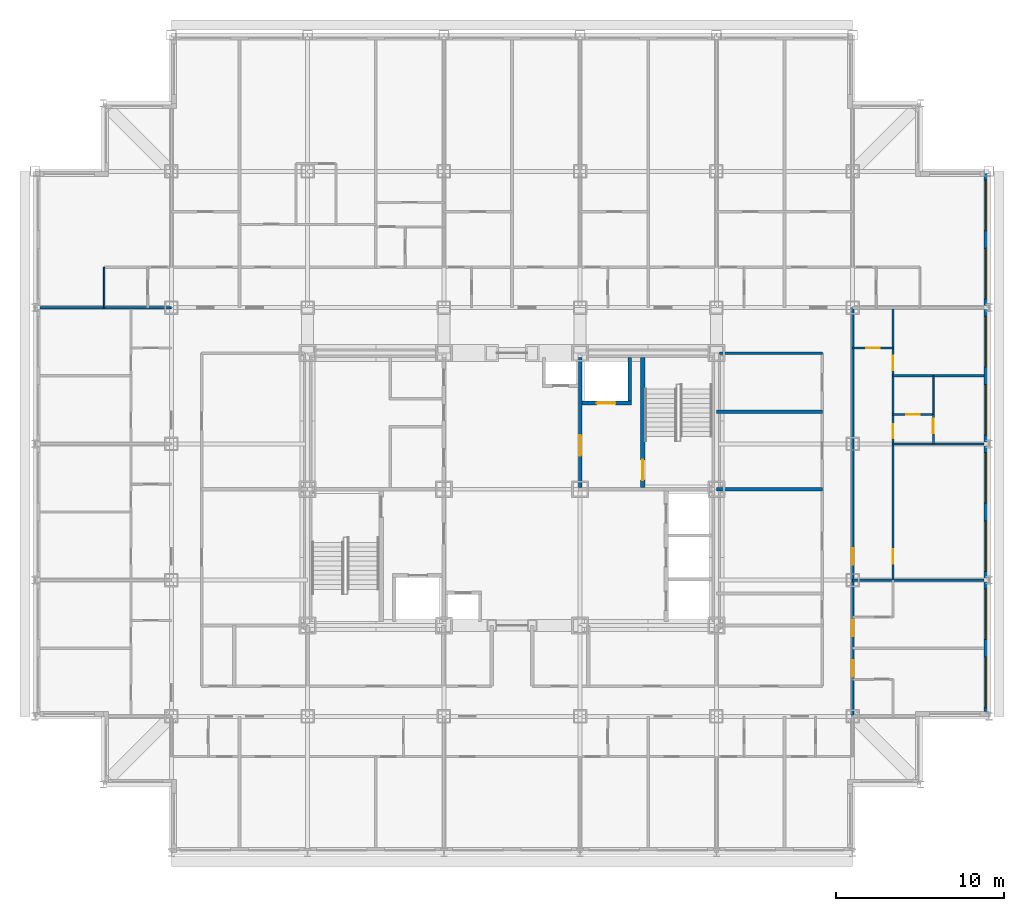
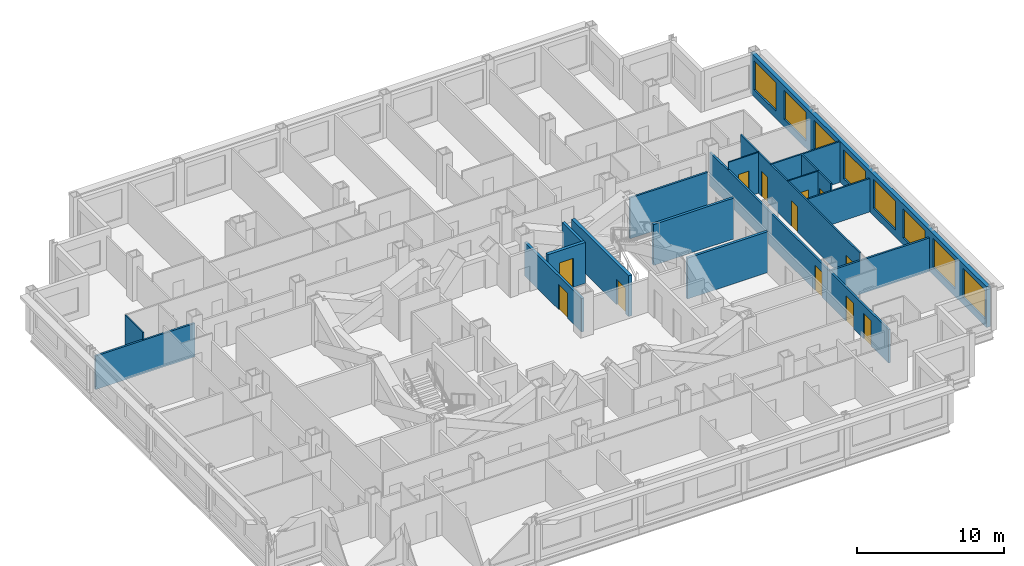
# One storey, part 8 of 12: 19 walls, 12 doors, 8 windows, 20 openings.
"""IFC4 building model written with IfcOpenShell, lengths in metres."""

import ifcopenshell
import ifcopenshell.guid

model = None  # the IFC model being written
_history = None  # IfcOwnerHistory: only IFC2X3 demands one
_inside = {}  # id of a spatial element -> (the spatial element, [elements in it])
_under = {}  # id of a project, library or spatial element -> (it, [spatial elements below it])
_declared = {}  # id of a project -> (the project, [libraries it declares])
_typed = {}  # id of a type object -> (the type object, [elements of that type])
_made_of = {}  # id of a material, layer set ... -> (it, [elements and type objects made of it])


def new_model(schema):
    """Start an empty IFC model of exactly this schema.

    Asked for "IFC4X3", IfcOpenShell would pick the latest addendum, in which some entities
    have other attributes; the version numbers below select the first issue.
    IFC2X3 requires an IfcOwnerHistory on every rooted entity: one is made here for all.
    """
    global model, _history
    if schema == "IFC4X3":
        model = ifcopenshell.file(schema_version=(4, 3, 0, 0))
    else:
        model = ifcopenshell.file(schema=schema)
    _inside.clear()
    _under.clear()
    _declared.clear()
    _typed.clear()
    _made_of.clear()
    _history = None
    if model.schema == "IFC2X3":
        org = make("IfcOrganization", Name="unknown")
        user = make(
            "IfcPersonAndOrganization",
            ThePerson=make("IfcPerson", FamilyName="unknown"),
            TheOrganization=org,
        )
        app = make(
            "IfcApplication",
            ApplicationDeveloper=org,
            Version="unknown",
            ApplicationFullName="unknown",
            ApplicationIdentifier="unknown",
        )
        _history = make(
            "IfcOwnerHistory",
            OwningUser=user,
            OwningApplication=app,
            ChangeAction="ADDED",
            CreationDate=0,
        )
    return model


def make(cls, **values):
    """One entity of the class cls with the attributes given. An attribute that is None is left unset."""
    return model.create_entity(
        cls, **{name: value for name, value in values.items() if value is not None}
    )


def rooted(cls, **values):
    """An entity with a GlobalId (a new one), such as an element, a storey or a relation."""
    return make(cls, GlobalId=ifcopenshell.guid.new(), OwnerHistory=_history, **values)


def si_unit(unit_type, name, prefix=None):
    """IfcSIUnit, for example si_unit("LENGTHUNIT", "METRE", prefix="MILLI")."""
    return make("IfcSIUnit", UnitType=unit_type, Prefix=prefix, Name=name)


def assignment(units):
    """IfcUnitAssignment: the units of a project."""
    return None if units is None else make("IfcUnitAssignment", Units=units)


def point(xyz):
    """IfcCartesianPoint."""
    return None if xyz is None else make("IfcCartesianPoint", Coordinates=xyz)


def direction(xyz):
    """IfcDirection."""
    return None if xyz is None else make("IfcDirection", DirectionRatios=xyz)


def frame(location, z_axis=None, x_axis=None):
    """IfcAxis2Placement3D, a coordinate frame: its origin and axes. An axis left out is left unset."""
    return make(
        "IfcAxis2Placement3D",
        Location=point(location),
        Axis=direction(z_axis),
        RefDirection=direction(x_axis),
    )


def frame_2d(location, x_axis=None):
    """IfcAxis2Placement2D, a coordinate frame in the plane: its origin and x axis."""
    return make(
        "IfcAxis2Placement2D", Location=point(location), RefDirection=direction(x_axis)
    )


def origin():
    """The frame at (0, 0, 0) with its axes left unset."""
    return frame((0.0, 0.0, 0.0))


def place(relative_to, where):
    """IfcLocalPlacement: puts the frame where relative to a parent placement (None: the world)."""
    return make(
        "IfcLocalPlacement", PlacementRelTo=relative_to, RelativePlacement=where
    )


def context(
    kind, dimensions, precision=None, world=None, true_north=None, identifier=None
):
    """IfcGeometricRepresentationContext, for example the 3D "Model" context."""
    return make(
        "IfcGeometricRepresentationContext",
        ContextIdentifier=identifier,
        ContextType=kind,
        CoordinateSpaceDimension=dimensions,
        Precision=precision,
        WorldCoordinateSystem=world,
        TrueNorth=true_north,
    )


def subcontext(parent, identifier, kind, view, scale=None):
    """IfcGeometricRepresentationSubContext, for example "Body" below "Model"."""
    return make(
        "IfcGeometricRepresentationSubContext",
        ContextIdentifier=identifier,
        ContextType=kind,
        ParentContext=parent,
        TargetScale=scale,
        TargetView=view,
    )


def project(units=None, contexts=None):
    """IfcProject with its units and contexts."""
    return rooted(
        "IfcProject",
        Name="project",
        RepresentationContexts=contexts,
        UnitsInContext=assignment(units),
    )


def spatial(cls, under=None, at=None, **own):
    """A site, building, storey or space (cls), placed at a placement, below another one or the project."""
    s = rooted(cls, ObjectPlacement=at, **own)
    if under is not None:
        _under.setdefault(under.id(), (under, []))[1].append(s)
    return s


def profile(cls, at=None, kind="AREA", **sizes):
    """A parametric profile (cls). Its sizes go by their IFC names, for example OverallWidth=200.0."""
    return make(cls, ProfileType=kind, Position=at, **sizes)


def rectangle(**sizes):
    """IfcRectangleProfileDef."""
    return profile("IfcRectangleProfileDef", **sizes)


def extrude(swept, where, along, depth):
    """IfcExtrudedAreaSolid: the profile swept, set in the frame where, extruded along a direction by depth."""
    return make(
        "IfcExtrudedAreaSolid",
        SweptArea=swept,
        Position=where,
        ExtrudedDirection=direction(along),
        Depth=depth,
    )


def shape(context_of_items, identifier, shape_type, items):
    """IfcShapeRepresentation: the items that make up one representation, for example the "Body"."""
    return make(
        "IfcShapeRepresentation",
        ContextOfItems=context_of_items,
        RepresentationIdentifier=identifier,
        RepresentationType=shape_type,
        Items=items,
    )


def material(Name=None, Category=None):
    """IfcMaterial."""
    return make("IfcMaterial", Name=Name, Category=Category)


def layer(
    of_material, thickness, ventilated=None, Name=None, Category=None, Priority=None
):
    """IfcMaterialLayer: one layer of a wall or slab, of a material (None: an air gap)."""
    return make(
        "IfcMaterialLayer",
        Material=of_material,
        LayerThickness=thickness,
        IsVentilated=ventilated,
        Name=Name,
        Category=Category,
        Priority=Priority,
    )


def layer_set(layers, Name=None):
    """IfcMaterialLayerSet."""
    return make("IfcMaterialLayerSet", MaterialLayers=layers, LayerSetName=Name)


def made_of(thing, what):
    """Note that an element or type object is made of a material, layer set ...; save() writes the relation."""
    if what is not None:
        _made_of.setdefault(what.id(), (what, []))[1].append(thing)
    return thing


def type_object(cls, material=None, **own):
    """A type object (cls), such as IfcWallType, which elements share."""
    return made_of(rooted(cls, **own), material)


def element(
    cls,
    number,
    at=None,
    inside=None,
    cuts=None,
    type_object=None,
    material=None,
    context=None,
    identifier="Body",
    shape_type=None,
    held_by="IfcProductDefinitionShape",
    body=None,
    shapes=None,
    **own,
):
    """One element of the class cls, such as IfcWall. Its Tag is "e" and its number.

    at: its placement. inside: the storey or other place that contains it. cuts: it is an
    opening in that element (IfcRelVoidsElement). A single representation is given by context,
    identifier, shape_type and body (its items); several are given by shapes. held_by: the class
    of the entity that holds the representations. save() writes the other relations.
    """
    e = rooted(cls, Tag="e%d" % number, ObjectPlacement=at, **own)
    if body is not None:
        shapes = [shape(context, identifier, shape_type, body)]
    if shapes is not None:
        e.Representation = make(held_by, Representations=shapes)
    if inside is not None:
        _inside.setdefault(inside.id(), (inside, []))[1].append(e)
    if cuts is not None:
        rooted(
            "IfcRelVoidsElement", RelatingBuildingElement=cuts, RelatedOpeningElement=e
        )
    if type_object is not None:
        _typed.setdefault(type_object.id(), (type_object, []))[1].append(e)
    return made_of(e, material)


def fill(opening, filler):
    """IfcRelFillsElement: the door or window that sits in an opening."""
    return rooted(
        "IfcRelFillsElement",
        RelatingOpeningElement=opening,
        RelatedBuildingElement=filler,
    )


def aggregate(whole, parts):
    """IfcRelAggregates: a whole, such as a stair, and the parts it consists of."""
    return rooted("IfcRelAggregates", RelatingObject=whole, RelatedObjects=parts)


def save(model, path):
    """Write the relations noted so far, then the file.

    IfcRelAggregates (storeys below a building ...), IfcRelContainedInSpatialStructure (elements
    in a storey), IfcRelDefinesByType, IfcRelAssociatesMaterial and IfcRelDeclares: one each for
    every whole, place, type object, material and project.
    """
    for whole, parts in _under.values():
        aggregate(whole, parts)
    for where, things in _inside.values():
        rooted(
            "IfcRelContainedInSpatialStructure",
            RelatedElements=things,
            RelatingStructure=where,
        )
    for kind, things in _typed.values():
        rooted("IfcRelDefinesByType", RelatedObjects=things, RelatingType=kind)
    for what, things in _made_of.values():
        rooted("IfcRelAssociatesMaterial", RelatedObjects=things, RelatingMaterial=what)
    for by, libraries in _declared.values():
        rooted("IfcRelDeclares", RelatingContext=by, RelatedDefinitions=libraries)
    model.write(path)


model = new_model("IFC4")

# Units and contexts
model_context = context("Model", 3, precision=1e-05, world=origin(), true_north=direction((0.0, 1.0)))
body_context = subcontext(model_context, "Body", "Model", "MODEL_VIEW")
ifc_project = project(units=[si_unit("LENGTHUNIT", "METRE"), si_unit("AREAUNIT", "SQUARE_METRE"), si_unit("VOLUMEUNIT", "CUBIC_METRE"), si_unit("PLANEANGLEUNIT", "RADIAN"), si_unit("MASSUNIT", "GRAM", prefix="KILO")], contexts=[model_context])

# Site, building, storey
site_placement = place(None, origin())
site = spatial("IfcSite", under=ifc_project, at=site_placement, CompositionType="ELEMENT")
building_placement = place(site_placement, origin())
building = spatial("IfcBuilding", under=site, at=building_placement, Name="Kopane Lantern Tower", CompositionType="ELEMENT")
storey_placement = place(building_placement, frame((0.0, 0.0, 192.0)))
storey = spatial("IfcBuildingStorey", under=building, at=storey_placement, Name="L49", CompositionType="ELEMENT", Elevation=192.0)

# Wall, openings, doors
ifc_material_1 = material(Name="Gypsum board on steel studs", Category="steel")
ifc_layer_1 = layer(ifc_material_1, 0.1201171875)
ifc_layer_set_1 = layer_set([ifc_layer_1], Name="APARTMENT INTERNAL WALL 120")
wall_type_1 = type_object("IfcWallType", Name="APARTMENT INTERNAL WALL 120", PredefinedType="PARTITIONING", material=ifc_layer_set_1)
wall_1_placement = place(storey_placement, frame((51.0, 27.0, 0.0), z_axis=(0.0, 0.0, 1.0), x_axis=(0.0, 1.0, 0.0)))
wall_1 = element("IfcWall", 1, at=wall_1_placement, inside=storey, type_object=wall_type_1, Name="Apartment Internal Wall 120 L49", PredefinedType="PARTITIONING", context=body_context, shape_type="SweptSolid", body=[
    extrude(rectangle(XDim=16.199951171875, YDim=0.1201171875, at=frame_2d((8.10009765625, 0.0))), origin(), (0.0, 0.0, 1.0), 3.389892578125),
])
opening_1_placement = place(wall_1_placement, frame((0.97509765625, 0.0, 0.0)))
opening_1 = element("IfcOpeningElement", 2, at=opening_1_placement, cuts=wall_1, Name="Opening L49-058", PredefinedType="OPENING", context=body_context, shape_type="SweptSolid", body=[
    extrude(rectangle(XDim=0.85009765625, YDim=2.10009765625, at=frame_2d((0.425048828125, 1.050048828125))), frame((0.0, 0.070068359375, 0.0), z_axis=(0.0, -1.0, 0.0), x_axis=(1.0, 0.0, 0.0)), (0.0, 0.0, 1.0), 0.14013671875),
])
opening_2_placement = place(wall_1_placement, frame((8.425048828125, 0.0, 0.0)))
opening_2 = element("IfcOpeningElement", 3, at=opening_2_placement, cuts=wall_1, Name="Opening L49-060", PredefinedType="OPENING", context=body_context, shape_type="SweptSolid", body=[
    extrude(rectangle(XDim=0.85009765625, YDim=2.10009765625, at=frame_2d((0.425048828125, 1.050048828125))), frame((0.0, 0.070068359375, 0.0), z_axis=(0.0, -1.0, 0.0), x_axis=(1.0, 0.0, 0.0)), (0.0, 0.0, 1.0), 0.14013671875),
])
opening_3_placement = place(wall_1_placement, frame((12.47509765625, 0.0, 0.0)))
opening_3 = element("IfcOpeningElement", 4, at=opening_3_placement, cuts=wall_1, Name="Opening L49-061", PredefinedType="OPENING", context=body_context, shape_type="SweptSolid", body=[
    extrude(rectangle(XDim=0.85009765625, YDim=2.10009765625, at=frame_2d((0.425048828125, 1.050048828125))), frame((0.0, 0.070068359375, 0.0), z_axis=(0.0, -1.0, 0.0), x_axis=(1.0, 0.0, 0.0)), (0.0, 0.0, 1.0), 0.14013671875),
])
ifc_material_2 = material(Name="Timber door set", Category="wood")
door_type_1 = type_object("IfcDoorType", Name="DOOR D4 850x2100", OperationType="SINGLE_SWING_LEFT", PredefinedType="DOOR", material=ifc_material_2)
door_1_placement = place(opening_1_placement, origin())
door_1 = element("IfcDoor", 5, at=door_1_placement, inside=storey, type_object=door_type_1, Name="Door L49-058", OperationType="SINGLE_SWING_LEFT", OverallHeight=2.10009765625, OverallWidth=0.85009765625, PredefinedType="DOOR", context=body_context, shape_type="SweptSolid", body=[
    extrude(rectangle(XDim=0.85009765625, YDim=2.10009765625, at=frame_2d((0.425048828125, 1.050048828125))), frame((0.0, 0.02490234375, 0.0), z_axis=(0.0, -1.0, 0.0), x_axis=(1.0, 0.0, 0.0)), (0.0, 0.0, 1.0), 0.050048828125),
])
fill(opening_1, door_1)
door_2_placement = place(opening_2_placement, origin())
door_2 = element("IfcDoor", 6, at=door_2_placement, inside=storey, type_object=door_type_1, Name="Door L49-060", OperationType="SINGLE_SWING_RIGHT", OverallHeight=2.10009765625, OverallWidth=0.85009765625, PredefinedType="DOOR", context=body_context, shape_type="SweptSolid", body=[
    extrude(rectangle(XDim=0.85009765625, YDim=2.10009765625, at=frame_2d((0.425048828125, 1.050048828125))), frame((0.0, 0.02490234375, 0.0), z_axis=(0.0, -1.0, 0.0), x_axis=(1.0, 0.0, 0.0)), (0.0, 0.0, 1.0), 0.050048828125),
])
fill(opening_2, door_2)
door_3_placement = place(opening_3_placement, origin())
door_3 = element("IfcDoor", 7, at=door_3_placement, inside=storey, type_object=door_type_1, Name="Door L49-061", OperationType="SINGLE_SWING_RIGHT", OverallHeight=2.10009765625, OverallWidth=0.85009765625, PredefinedType="DOOR", context=body_context, shape_type="SweptSolid", body=[
    extrude(rectangle(XDim=0.85009765625, YDim=2.10009765625, at=frame_2d((0.425048828125, 1.050048828125))), frame((0.0, 0.02490234375, 0.0), z_axis=(0.0, -1.0, 0.0), x_axis=(1.0, 0.0, 0.0)), (0.0, 0.0, 1.0), 0.050048828125),
])
fill(opening_3, door_3)

# Walls
wall_2_placement = place(storey_placement, frame((51.0, 35.10009765625, 0.0), z_axis=(0.0, 0.0, 1.0), x_axis=(1.0, 0.0, 0.0)))
element("IfcWall", 8, at=wall_2_placement, inside=storey, type_object=wall_type_1, Name="Apartment Internal Wall 120 L49", PredefinedType="PARTITIONING", context=body_context, shape_type="SweptSolid", body=[
    extrude(rectangle(XDim=5.39990234375, YDim=0.1201171875, at=frame_2d((2.699951171875, 0.0))), origin(), (0.0, 0.0, 1.0), 2.77783203125),
])
wall_3_placement = place(storey_placement, frame((51.0, 39.14990234375, 0.0), z_axis=(0.0, 0.0, 1.0), x_axis=(1.0, 0.0, 0.0)))
element("IfcWall", 9, at=wall_3_placement, inside=storey, type_object=wall_type_1, Name="Apartment Internal Wall 120 L49", PredefinedType="PARTITIONING", context=body_context, shape_type="SweptSolid", body=[
    extrude(rectangle(XDim=5.39990234375, YDim=0.1201171875, at=frame_2d((2.699951171875, 0.0))), origin(), (0.0, 0.0, 1.0), 3.389892578125),
])

# Wall, opening, door
wall_4_placement = place(storey_placement, frame((53.39990234375, 36.860107421875, 0.0), z_axis=(0.0, 0.0, 1.0), x_axis=(0.0, -1.0, 0.0)))
wall_4 = element("IfcWall", 10, at=wall_4_placement, inside=storey, type_object=wall_type_1, Name="Apartment Internal Wall 120 L49", PredefinedType="PARTITIONING", context=body_context, shape_type="SweptSolid", body=[
    extrude(rectangle(XDim=1.760009765625, YDim=0.1201171875, at=frame_2d((0.8798828125, 0.0))), origin(), (0.0, 0.0, 1.0), 3.389892578125),
])
opening_4_placement = place(wall_4_placement, frame((0.27490234375, 0.0, 0.0)))
opening_4 = element("IfcOpeningElement", 11, at=opening_4_placement, cuts=wall_4, Name="Opening L49-077", PredefinedType="OPENING", context=body_context, shape_type="SweptSolid", body=[
    extrude(rectangle(XDim=0.85009765625, YDim=2.10009765625, at=frame_2d((0.425048828125, 1.050048828125))), frame((0.0, 0.070068359375, 0.0), z_axis=(0.0, -1.0, 0.0), x_axis=(1.0, 0.0, 0.0)), (0.0, 0.0, 1.0), 0.14013671875),
])
door_4_placement = place(opening_4_placement, origin())
door_4 = element("IfcDoor", 12, at=door_4_placement, inside=storey, type_object=door_type_1, Name="Door L49-077", OperationType="SINGLE_SWING_RIGHT", OverallHeight=2.10009765625, OverallWidth=0.85009765625, PredefinedType="DOOR", context=body_context, shape_type="SweptSolid", body=[
    extrude(rectangle(XDim=0.85009765625, YDim=2.10009765625, at=frame_2d((0.425048828125, 1.050048828125))), frame((0.0, 0.02490234375, 0.0), z_axis=(0.0, -1.0, 0.0), x_axis=(1.0, 0.0, 0.0)), (0.0, 0.0, 1.0), 0.050048828125),
])
fill(opening_4, door_4)

ifc_material_3 = material(Name="Moisture-resistant board on steel studs", Category="steel")
ifc_layer_2 = layer(ifc_material_3, 0.10009765625)
ifc_layer_set_2 = layer_set([ifc_layer_2], Name="BATHROOM WALL 100")
wall_type_2 = type_object("IfcWallType", Name="BATHROOM WALL 100", PredefinedType="PARTITIONING", material=ifc_layer_set_2)
wall_5_placement = place(storey_placement, frame((48.60009765625, 40.800048828125, 0.0), z_axis=(0.0, 0.0, 1.0), x_axis=(1.0, 0.0, 0.0)))
wall_5 = element("IfcWall", 13, at=wall_5_placement, inside=storey, type_object=wall_type_2, Name="Bathroom Wall 100 L49", PredefinedType="PARTITIONING", context=body_context, shape_type="SweptSolid", body=[
    extrude(rectangle(XDim=2.39990234375, YDim=0.10009765625, at=frame_2d((1.199951171875, 0.0))), origin(), (0.0, 0.0, 1.0), 3.389892578125),
])
opening_5_placement = place(wall_5_placement, frame((0.800048828125, 0.0, 0.0)))
opening_5 = element("IfcOpeningElement", 14, at=opening_5_placement, cuts=wall_5, Name="Opening L49-056", PredefinedType="OPENING", context=body_context, shape_type="SweptSolid", body=[
    extrude(rectangle(XDim=0.800048828125, YDim=2.10009765625, at=frame_2d((0.39990234375, 1.050048828125))), frame((0.0, 0.06005859375, 0.0), z_axis=(0.0, -1.0, 0.0), x_axis=(1.0, 0.0, 0.0)), (0.0, 0.0, 1.0), 0.1201171875),
])
ifc_material_4 = material(Name="Timber door set", Category="wood")
door_type_2 = type_object("IfcDoorType", Name="DOOR D2 800x2100", OperationType="SINGLE_SWING_LEFT", PredefinedType="DOOR", material=ifc_material_4)
door_5_placement = place(opening_5_placement, origin())
door_5 = element("IfcDoor", 15, at=door_5_placement, inside=storey, type_object=door_type_2, Name="Door L49-056", OperationType="SINGLE_SWING_LEFT", OverallHeight=2.10009765625, OverallWidth=0.800048828125, PredefinedType="DOOR", context=body_context, shape_type="SweptSolid", body=[
    extrude(rectangle(XDim=0.800048828125, YDim=2.10009765625, at=frame_2d((0.39990234375, 1.050048828125))), frame((0.0, 0.02490234375, 0.0), z_axis=(0.0, -1.0, 0.0), x_axis=(1.0, 0.0, 0.0)), (0.0, 0.0, 1.0), 0.050048828125),
])
fill(opening_5, door_5)

wall_6_placement = place(storey_placement, frame((51.0, 36.85009765625, 0.0), z_axis=(0.0, 0.0, 1.0), x_axis=(1.0, 0.0, 0.0)))
wall_6 = element("IfcWall", 16, at=wall_6_placement, inside=storey, type_object=wall_type_2, Name="Bathroom Wall 100 L49", PredefinedType="PARTITIONING", context=body_context, shape_type="SweptSolid", body=[
    extrude(rectangle(XDim=2.39990234375, YDim=0.10009765625, at=frame_2d((1.199951171875, 0.0))), origin(), (0.0, 0.0, 1.0), 3.389892578125),
])
opening_6_placement = place(wall_6_placement, frame((0.800048828125, 0.0, 0.0)))
opening_6 = element("IfcOpeningElement", 17, at=opening_6_placement, cuts=wall_6, Name="Opening L49-059", PredefinedType="OPENING", context=body_context, shape_type="SweptSolid", body=[
    extrude(rectangle(XDim=0.800048828125, YDim=2.10009765625, at=frame_2d((0.39990234375, 1.050048828125))), frame((0.0, 0.06005859375, 0.0), z_axis=(0.0, -1.0, 0.0), x_axis=(1.0, 0.0, 0.0)), (0.0, 0.0, 1.0), 0.1201171875),
])
door_6_placement = place(opening_6_placement, origin())
door_6 = element("IfcDoor", 18, at=door_6_placement, inside=storey, type_object=door_type_2, Name="Door L49-059", OperationType="SINGLE_SWING_LEFT", OverallHeight=2.10009765625, OverallWidth=0.800048828125, PredefinedType="DOOR", context=body_context, shape_type="SweptSolid", body=[
    extrude(rectangle(XDim=0.800048828125, YDim=2.10009765625, at=frame_2d((0.39990234375, 1.050048828125))), frame((0.0, 0.02490234375, 0.0), z_axis=(0.0, -1.0, 0.0), x_axis=(1.0, 0.0, 0.0)), (0.0, 0.0, 1.0), 0.050048828125),
])
fill(opening_6, door_6)

# Walls
wall_7_placement = place(storey_placement, frame((53.39990234375, 36.85009765625, 0.0), z_axis=(0.0, 0.0, 1.0), x_axis=(0.0, 1.0, 0.0)))
element("IfcWall", 19, at=wall_7_placement, inside=storey, type_object=wall_type_2, Name="Bathroom Wall 100 L49", PredefinedType="PARTITIONING", context=body_context, shape_type="SweptSolid", body=[
    extrude(rectangle(XDim=2.2998046875, YDim=0.10009765625, at=frame_2d((1.14990234375, 0.0))), origin(), (0.0, 0.0, 1.0), 3.389892578125),
])
wall_8_placement = place(storey_placement, frame((4.10009765625, 43.199951171875, 0.0), z_axis=(0.0, 0.0, 1.0), x_axis=(0.0, 1.0, 0.0)))
element("IfcWall", 20, at=wall_8_placement, inside=storey, type_object=wall_type_2, Name="Bathroom Wall 100 L49", PredefinedType="PARTITIONING", context=body_context, shape_type="SweptSolid", body=[
    extrude(rectangle(XDim=2.400146484375, YDim=0.10009765625, at=frame_2d((1.2001953125, 0.0))), origin(), (0.0, 0.0, 1.0), 3.389892578125),
])

# Wall, opening, door
ifc_material_5 = material(Name="Gypsum shaft wall EI 120", Category="gypsum")
ifc_layer_3 = layer(ifc_material_5, 0.25)
ifc_layer_set_3 = layer_set([ifc_layer_3], Name="CORE SHAFT WALL 250 EI 120")
wall_type_3 = type_object("IfcWallType", Name="CORE SHAFT WALL 250 EI 120", PredefinedType="SOLIDWALL", material=ifc_layer_set_3)
wall_9_placement = place(storey_placement, frame((36.125, 32.5, 0.0), z_axis=(0.0, 0.0, 1.0), x_axis=(0.0, 1.0, 0.0)))
wall_9 = element("IfcWall", 21, at=wall_9_placement, inside=storey, type_object=wall_type_3, Name="Core shaft wall L49 XST2", PredefinedType="SOLIDWALL", context=body_context, shape_type="SweptSolid", body=[
    extrude(rectangle(XDim=7.75, YDim=0.25, at=frame_2d((3.875, 0.0))), origin(), (0.0, 0.0, 1.0), 3.389892578125),
])
opening_7_placement = place(wall_9_placement, frame((0.449951171875, 0.0, 0.0)))
opening_7 = element("IfcOpeningElement", 22, at=opening_7_placement, cuts=wall_9, Name="Opening 49.SD2", PredefinedType="OPENING", context=body_context, shape_type="SweptSolid", body=[
    extrude(rectangle(XDim=1.199951171875, YDim=2.10009765625, at=frame_2d((0.60009765625, 1.050048828125))), frame((0.0, 0.135009765625, 0.0), z_axis=(0.0, -1.0, 0.0), x_axis=(1.0, 0.0, 0.0)), (0.0, 0.0, 1.0), 0.27001953125),
])
ifc_material_6 = material(Name="Steel door set", Category="steel")
door_type_3 = type_object("IfcDoorType", Name="STAIR DOOR 1200x2100 FD60S", OperationType="SINGLE_SWING_LEFT", PredefinedType="DOOR", material=ifc_material_6)
door_7_placement = place(opening_7_placement, origin())
door_7 = element("IfcDoor", 23, at=door_7_placement, inside=storey, type_object=door_type_3, Name="Stair door ST2 L49", OperationType="SINGLE_SWING_RIGHT", OverallHeight=2.10009765625, OverallWidth=1.199951171875, PredefinedType="DOOR", context=body_context, shape_type="SweptSolid", body=[
    extrude(rectangle(XDim=1.199951171875, YDim=2.10009765625, at=frame_2d((0.60009765625, 1.050048828125))), frame((0.0, 0.02490234375, 0.0), z_axis=(0.0, -1.0, 0.0), x_axis=(1.0, 0.0, 0.0)), (0.0, 0.0, 1.0), 0.050048828125),
])
fill(opening_7, door_7)

wall_10_placement = place(storey_placement, frame((32.5, 37.52490234375, 0.0), z_axis=(0.0, 0.0, 1.0), x_axis=(1.0, 0.0, 0.0)))
wall_10 = element("IfcWall", 24, at=wall_10_placement, inside=storey, type_object=wall_type_3, Name="Core shaft wall L49 YLF2", PredefinedType="SOLIDWALL", context=body_context, shape_type="SweptSolid", body=[
    extrude(rectangle(XDim=2.949951171875, YDim=0.25, at=frame_2d((1.47509765625, 0.0))), origin(), (0.0, 0.0, 1.0), 3.389892578125),
])
opening_8_placement = place(wall_10_placement, frame((0.89990234375, 0.0, 0.0)))
opening_8 = element("IfcOpeningElement", 25, at=opening_8_placement, cuts=wall_10, Name="Opening 49.LD-LF2", PredefinedType="OPENING", context=body_context, shape_type="SweptSolid", body=[
    extrude(rectangle(XDim=1.10009765625, YDim=2.39990234375, at=frame_2d((0.550048828125, 1.199951171875))), frame((0.0, 0.135009765625, 0.0), z_axis=(0.0, -1.0, 0.0), x_axis=(1.0, 0.0, 0.0)), (0.0, 0.0, 1.0), 0.27001953125),
])
ifc_material_7 = material(Name="Steel door set", Category="steel")
door_type_4 = type_object("IfcDoorType", Name="LIFT LANDING DOOR 1100x2400 FD60", OperationType="DOUBLE_DOOR_SLIDING", PredefinedType="DOOR", material=ifc_material_7)
door_8_placement = place(opening_8_placement, origin())
door_8 = element("IfcDoor", 26, at=door_8_placement, inside=storey, type_object=door_type_4, Name="Landing door LF2 L49", OperationType="DOUBLE_DOOR_SLIDING", OverallHeight=2.39990234375, OverallWidth=1.10009765625, PredefinedType="DOOR", context=body_context, shape_type="SweptSolid", body=[
    extrude(rectangle(XDim=1.10009765625, YDim=2.39990234375, at=frame_2d((0.550048828125, 1.199951171875))), frame((0.0, 0.02490234375, 0.0), z_axis=(0.0, -1.0, 0.0), x_axis=(1.0, 0.0, 0.0)), (0.0, 0.0, 1.0), 0.050048828125),
])
fill(opening_8, door_8)

# Wall, openings, doors
ifc_material_8 = material(Name="Gypsum board on steel studs", Category="steel")
ifc_layer_4 = layer(ifc_material_8, 0.14990234375)
ifc_layer_set_4 = layer_set([ifc_layer_4], Name="CORRIDOR WALL 150 EI 60")
wall_type_4 = type_object("IfcWallType", Name="CORRIDOR WALL 150 EI 60", PredefinedType="PARTITIONING", material=ifc_layer_set_4)
wall_11_placement = place(storey_placement, frame((48.60009765625, 18.89990234375, 0.0), z_axis=(0.0, 0.0, 1.0), x_axis=(0.0, 1.0, 0.0)))
wall_11 = element("IfcWall", 27, at=wall_11_placement, inside=storey, type_object=wall_type_4, Name="Corridor Wall 150 Ei 60 L49", PredefinedType="PARTITIONING", context=body_context, shape_type="SweptSolid", body=[
    extrude(rectangle(XDim=24.300048828125, YDim=0.14990234375, at=frame_2d((12.14990234375, 0.0))), origin(), (0.0, 0.0, 1.0), 2.77783203125),
])
opening_9_placement = place(wall_11_placement, frame((2.35009765625, 0.0, 0.0)))
opening_9 = element("IfcOpeningElement", 28, at=opening_9_placement, cuts=wall_11, Name="Opening L49-053", PredefinedType="OPENING", context=body_context, shape_type="SweptSolid", body=[
    extrude(rectangle(XDim=1.0, YDim=2.10009765625, at=frame_2d((0.5, 1.050048828125))), frame((0.0, 0.0849609375, 0.0), z_axis=(0.0, -1.0, 0.0), x_axis=(1.0, 0.0, 0.0)), (0.0, 0.0, 1.0), 0.169921875),
])
opening_10_placement = place(wall_11_placement, frame((4.75, 0.0, 0.0)))
opening_10 = element("IfcOpeningElement", 29, at=opening_10_placement, cuts=wall_11, Name="Opening L49-055", PredefinedType="OPENING", context=body_context, shape_type="SweptSolid", body=[
    extrude(rectangle(XDim=1.0, YDim=2.10009765625, at=frame_2d((0.5, 1.050048828125))), frame((0.0, 0.0849609375, 0.0), z_axis=(0.0, -1.0, 0.0), x_axis=(1.0, 0.0, 0.0)), (0.0, 0.0, 1.0), 0.169921875),
])
opening_11_placement = place(wall_11_placement, frame((9.0, 0.0, 0.0)))
opening_11 = element("IfcOpeningElement", 30, at=opening_11_placement, cuts=wall_11, Name="Opening L49-057", PredefinedType="OPENING", context=body_context, shape_type="SweptSolid", body=[
    extrude(rectangle(XDim=1.0, YDim=2.10009765625, at=frame_2d((0.5, 1.050048828125))), frame((0.0, 0.0849609375, 0.0), z_axis=(0.0, -1.0, 0.0), x_axis=(1.0, 0.0, 0.0)), (0.0, 0.0, 1.0), 0.169921875),
])
ifc_material_9 = material(Name="Steel door set", Category="steel")
door_type_5 = type_object("IfcDoorType", Name="DOOR D3 1000x2100 FD30S", OperationType="SINGLE_SWING_LEFT", PredefinedType="DOOR", material=ifc_material_9)
door_9_placement = place(opening_9_placement, origin())
door_9 = element("IfcDoor", 31, at=door_9_placement, inside=storey, type_object=door_type_5, Name="Door L49-053", OperationType="SINGLE_SWING_RIGHT", OverallHeight=2.10009765625, OverallWidth=1.0, PredefinedType="DOOR", context=body_context, shape_type="SweptSolid", body=[
    extrude(rectangle(XDim=1.0, YDim=2.10009765625, at=frame_2d((0.5, 1.050048828125))), frame((0.0, 0.02490234375, 0.0), z_axis=(0.0, -1.0, 0.0), x_axis=(1.0, 0.0, 0.0)), (0.0, 0.0, 1.0), 0.050048828125),
])
fill(opening_9, door_9)
door_10_placement = place(opening_10_placement, origin())
door_10 = element("IfcDoor", 32, at=door_10_placement, inside=storey, type_object=door_type_5, Name="Door L49-055", OperationType="SINGLE_SWING_LEFT", OverallHeight=2.10009765625, OverallWidth=1.0, PredefinedType="DOOR", context=body_context, shape_type="SweptSolid", body=[
    extrude(rectangle(XDim=1.0, YDim=2.10009765625, at=frame_2d((0.5, 1.050048828125))), frame((0.0, 0.02490234375, 0.0), z_axis=(0.0, -1.0, 0.0), x_axis=(1.0, 0.0, 0.0)), (0.0, 0.0, 1.0), 0.050048828125),
])
fill(opening_10, door_10)
door_11_placement = place(opening_11_placement, origin())
door_11 = element("IfcDoor", 33, at=door_11_placement, inside=storey, type_object=door_type_5, Name="Door L49-057", OperationType="SINGLE_SWING_RIGHT", OverallHeight=2.10009765625, OverallWidth=1.0, PredefinedType="DOOR", context=body_context, shape_type="SweptSolid", body=[
    extrude(rectangle(XDim=1.0, YDim=2.10009765625, at=frame_2d((0.5, 1.050048828125))), frame((0.0, 0.02490234375, 0.0), z_axis=(0.0, -1.0, 0.0), x_axis=(1.0, 0.0, 0.0)), (0.0, 0.0, 1.0), 0.050048828125),
])
fill(opening_11, door_11)

# Walls
wall_12_placement = place(storey_placement, frame((46.800048828125, 40.5, 0.0), z_axis=(0.0, 0.0, 1.0), x_axis=(-1.0, 0.0, 0.0)))
element("IfcWall", 34, at=wall_12_placement, inside=storey, type_object=wall_type_4, Name="Corridor Wall 150 Ei 60 L49", PredefinedType="PARTITIONING", context=body_context, shape_type="SweptSolid", body=[
    extrude(rectangle(XDim=6.10009765625, YDim=0.14990234375, at=frame_2d((3.050048828125, 0.0))), origin(), (0.0, 0.0, 1.0), 3.389892578125),
])
ifc_material_10 = material(Name="Gypsum board on steel studs", Category="steel")
ifc_layer_5 = layer(ifc_material_10, 0.14990234375)
ifc_layer_set_5 = layer_set([ifc_layer_5], Name="DEMISING WALL 150 EI 60")
wall_type_5 = type_object("IfcWallType", Name="DEMISING WALL 150 EI 60", PredefinedType="PARTITIONING", material=ifc_layer_set_5)
wall_13_placement = place(storey_placement, frame((48.60009765625, 27.0, 0.0), z_axis=(0.0, 0.0, 1.0), x_axis=(1.0, 0.0, 0.0)))
element("IfcWall", 35, at=wall_13_placement, inside=storey, type_object=wall_type_5, Name="Demising Wall 150 Ei 60 L49", PredefinedType="PARTITIONING", context=body_context, shape_type="SweptSolid", body=[
    extrude(rectangle(XDim=7.7998046875, YDim=0.14990234375, at=frame_2d((3.89990234375, 0.0))), origin(), (0.0, 0.0, 1.0), 2.77783203125),
])
wall_14_placement = place(storey_placement, frame((0.300048828125, 43.199951171875, 0.0), z_axis=(0.0, 0.0, 1.0), x_axis=(1.0, 0.0, 0.0)))
element("IfcWall", 36, at=wall_14_placement, inside=storey, type_object=wall_type_5, Name="Demising Wall 150 Ei 60 L49", PredefinedType="PARTITIONING", context=body_context, shape_type="SweptSolid", body=[
    extrude(rectangle(XDim=7.800048828125, YDim=0.14990234375, at=frame_2d((3.89990234375, 0.0))), origin(), (0.0, 0.0, 1.0), 2.77783203125),
])

# Wall, openings, windows
ifc_material_11 = material(Name="Terracotta rainscreen on light steel framing", Category="masonry")
ifc_layer_6 = layer(ifc_material_11, 0.300048828125)
ifc_layer_set_6 = layer_set([ifc_layer_6], Name="EXTERNAL WALL EW1 300 TERRACOTTA")
wall_type_6 = type_object("IfcWallType", Name="EXTERNAL WALL EW1 300 TERRACOTTA", PredefinedType="SOLIDWALL", material=ifc_layer_set_6)
wall_15_placement = place(storey_placement, frame((56.550048828125, 19.199951171875, 0.0), z_axis=(0.0, 0.0, 1.0), x_axis=(0.0, 1.0, 0.0)))
wall_15 = element("IfcWall", 37, at=wall_15_placement, inside=storey, type_object=wall_type_6, Name="External wall E L49", PredefinedType="SOLIDWALL", context=body_context, shape_type="SweptSolid", body=[
    extrude(rectangle(XDim=32.10009765625, YDim=0.300048828125, at=frame_2d((16.050048828125, 0.0))), origin(), (0.0, 0.0, 1.0), 3.389892578125),
])
opening_12_placement = place(wall_15_placement, frame((0.22509765625, 0.0, 0.60009765625)))
opening_12 = element("IfcOpeningElement", 38, at=opening_12_placement, cuts=wall_15, Name="Opening WR300240", PredefinedType="OPENING", context=body_context, shape_type="SweptSolid", body=[
    extrude(rectangle(XDim=3.0, YDim=2.39990234375, at=frame_2d((1.5, 1.199951171875))), frame((0.0, 0.159912109375, 0.0), z_axis=(0.0, -1.0, 0.0), x_axis=(1.0, 0.0, 0.0)), (0.0, 0.0, 1.0), 0.320068359375),
])
opening_13_placement = place(wall_15_placement, frame((4.27490234375, 0.0, 0.60009765625)))
opening_13 = element("IfcOpeningElement", 39, at=opening_13_placement, cuts=wall_15, Name="Opening WR300240", PredefinedType="OPENING", context=body_context, shape_type="SweptSolid", body=[
    extrude(rectangle(XDim=3.0, YDim=2.39990234375, at=frame_2d((1.5, 1.199951171875))), frame((0.0, 0.159912109375, 0.0), z_axis=(0.0, -1.0, 0.0), x_axis=(1.0, 0.0, 0.0)), (0.0, 0.0, 1.0), 0.320068359375),
])
opening_14_placement = place(wall_15_placement, frame((8.324951171875, 0.0, 0.60009765625)))
opening_14 = element("IfcOpeningElement", 40, at=opening_14_placement, cuts=wall_15, Name="Opening WR300240", PredefinedType="OPENING", context=body_context, shape_type="SweptSolid", body=[
    extrude(rectangle(XDim=3.0, YDim=2.39990234375, at=frame_2d((1.5, 1.199951171875))), frame((0.0, 0.159912109375, 0.0), z_axis=(0.0, -1.0, 0.0), x_axis=(1.0, 0.0, 0.0)), (0.0, 0.0, 1.0), 0.320068359375),
])
opening_15_placement = place(wall_15_placement, frame((12.375, 0.0, 0.60009765625)))
opening_15 = element("IfcOpeningElement", 41, at=opening_15_placement, cuts=wall_15, Name="Opening WR300240", PredefinedType="OPENING", context=body_context, shape_type="SweptSolid", body=[
    extrude(rectangle(XDim=3.0, YDim=2.39990234375, at=frame_2d((1.5, 1.199951171875))), frame((0.0, 0.159912109375, 0.0), z_axis=(0.0, -1.0, 0.0), x_axis=(1.0, 0.0, 0.0)), (0.0, 0.0, 1.0), 0.320068359375),
])
opening_16_placement = place(wall_15_placement, frame((16.425048828125, 0.0, 0.60009765625)))
opening_16 = element("IfcOpeningElement", 42, at=opening_16_placement, cuts=wall_15, Name="Opening WR300240", PredefinedType="OPENING", context=body_context, shape_type="SweptSolid", body=[
    extrude(rectangle(XDim=3.0, YDim=2.39990234375, at=frame_2d((1.5, 1.199951171875))), frame((0.0, 0.159912109375, 0.0), z_axis=(0.0, -1.0, 0.0), x_axis=(1.0, 0.0, 0.0)), (0.0, 0.0, 1.0), 0.320068359375),
])
opening_17_placement = place(wall_15_placement, frame((20.47509765625, 0.0, 0.60009765625)))
opening_17 = element("IfcOpeningElement", 43, at=opening_17_placement, cuts=wall_15, Name="Opening WR300240", PredefinedType="OPENING", context=body_context, shape_type="SweptSolid", body=[
    extrude(rectangle(XDim=3.0, YDim=2.39990234375, at=frame_2d((1.5, 1.199951171875))), frame((0.0, 0.159912109375, 0.0), z_axis=(0.0, -1.0, 0.0), x_axis=(1.0, 0.0, 0.0)), (0.0, 0.0, 1.0), 0.320068359375),
])
opening_18_placement = place(wall_15_placement, frame((24.52490234375, 0.0, 0.60009765625)))
opening_18 = element("IfcOpeningElement", 44, at=opening_18_placement, cuts=wall_15, Name="Opening WR300240", PredefinedType="OPENING", context=body_context, shape_type="SweptSolid", body=[
    extrude(rectangle(XDim=3.0, YDim=2.39990234375, at=frame_2d((1.5, 1.199951171875))), frame((0.0, 0.159912109375, 0.0), z_axis=(0.0, -1.0, 0.0), x_axis=(1.0, 0.0, 0.0)), (0.0, 0.0, 1.0), 0.320068359375),
])
opening_19_placement = place(wall_15_placement, frame((28.574951171875, 0.0, 0.60009765625)))
opening_19 = element("IfcOpeningElement", 45, at=opening_19_placement, cuts=wall_15, Name="Opening WR300240", PredefinedType="OPENING", context=body_context, shape_type="SweptSolid", body=[
    extrude(rectangle(XDim=3.0, YDim=2.39990234375, at=frame_2d((1.5, 1.199951171875))), frame((0.0, 0.159912109375, 0.0), z_axis=(0.0, -1.0, 0.0), x_axis=(1.0, 0.0, 0.0)), (0.0, 0.0, 1.0), 0.320068359375),
])
ifc_material_12 = material(Name="Aluminium and clear glass", Category="aluminium")
window_type = type_object("IfcWindowType", Name="RIBBON WINDOW WR300240 3000x2400", PartitioningType="SINGLE_PANEL", PredefinedType="WINDOW", material=ifc_material_12)
window_1_placement = place(opening_12_placement, origin())
window_1 = element("IfcWindow", 46, at=window_1_placement, inside=storey, type_object=window_type, Name="Window E L49", OverallHeight=2.39990234375, OverallWidth=3.0, PartitioningType="SINGLE_PANEL", PredefinedType="WINDOW", context=body_context, shape_type="SweptSolid", body=[
    extrude(rectangle(XDim=3.0, YDim=2.39990234375, at=frame_2d((1.5, 1.199951171875))), frame((0.0, 0.030029296875, 0.0), z_axis=(0.0, -1.0, 0.0), x_axis=(1.0, 0.0, 0.0)), (0.0, 0.0, 1.0), 0.06005859375),
])
fill(opening_12, window_1)
window_2_placement = place(opening_13_placement, origin())
window_2 = element("IfcWindow", 47, at=window_2_placement, inside=storey, type_object=window_type, Name="Window E L49", OverallHeight=2.39990234375, OverallWidth=3.0, PartitioningType="SINGLE_PANEL", PredefinedType="WINDOW", context=body_context, shape_type="SweptSolid", body=[
    extrude(rectangle(XDim=3.0, YDim=2.39990234375, at=frame_2d((1.5, 1.199951171875))), frame((0.0, 0.030029296875, 0.0), z_axis=(0.0, -1.0, 0.0), x_axis=(1.0, 0.0, 0.0)), (0.0, 0.0, 1.0), 0.06005859375),
])
fill(opening_13, window_2)
window_3_placement = place(opening_14_placement, origin())
window_3 = element("IfcWindow", 48, at=window_3_placement, inside=storey, type_object=window_type, Name="Window E L49", OverallHeight=2.39990234375, OverallWidth=3.0, PartitioningType="SINGLE_PANEL", PredefinedType="WINDOW", context=body_context, shape_type="SweptSolid", body=[
    extrude(rectangle(XDim=3.0, YDim=2.39990234375, at=frame_2d((1.5, 1.199951171875))), frame((0.0, 0.030029296875, 0.0), z_axis=(0.0, -1.0, 0.0), x_axis=(1.0, 0.0, 0.0)), (0.0, 0.0, 1.0), 0.06005859375),
])
fill(opening_14, window_3)
window_4_placement = place(opening_15_placement, origin())
window_4 = element("IfcWindow", 49, at=window_4_placement, inside=storey, type_object=window_type, Name="Window E L49", OverallHeight=2.39990234375, OverallWidth=3.0, PartitioningType="SINGLE_PANEL", PredefinedType="WINDOW", context=body_context, shape_type="SweptSolid", body=[
    extrude(rectangle(XDim=3.0, YDim=2.39990234375, at=frame_2d((1.5, 1.199951171875))), frame((0.0, 0.030029296875, 0.0), z_axis=(0.0, -1.0, 0.0), x_axis=(1.0, 0.0, 0.0)), (0.0, 0.0, 1.0), 0.06005859375),
])
fill(opening_15, window_4)
window_5_placement = place(opening_16_placement, origin())
window_5 = element("IfcWindow", 50, at=window_5_placement, inside=storey, type_object=window_type, Name="Window E L49", OverallHeight=2.39990234375, OverallWidth=3.0, PartitioningType="SINGLE_PANEL", PredefinedType="WINDOW", context=body_context, shape_type="SweptSolid", body=[
    extrude(rectangle(XDim=3.0, YDim=2.39990234375, at=frame_2d((1.5, 1.199951171875))), frame((0.0, 0.030029296875, 0.0), z_axis=(0.0, -1.0, 0.0), x_axis=(1.0, 0.0, 0.0)), (0.0, 0.0, 1.0), 0.06005859375),
])
fill(opening_16, window_5)
window_6_placement = place(opening_17_placement, origin())
window_6 = element("IfcWindow", 51, at=window_6_placement, inside=storey, type_object=window_type, Name="Window E L49", OverallHeight=2.39990234375, OverallWidth=3.0, PartitioningType="SINGLE_PANEL", PredefinedType="WINDOW", context=body_context, shape_type="SweptSolid", body=[
    extrude(rectangle(XDim=3.0, YDim=2.39990234375, at=frame_2d((1.5, 1.199951171875))), frame((0.0, 0.030029296875, 0.0), z_axis=(0.0, -1.0, 0.0), x_axis=(1.0, 0.0, 0.0)), (0.0, 0.0, 1.0), 0.06005859375),
])
fill(opening_17, window_6)
window_7_placement = place(opening_18_placement, origin())
window_7 = element("IfcWindow", 52, at=window_7_placement, inside=storey, type_object=window_type, Name="Window E L49", OverallHeight=2.39990234375, OverallWidth=3.0, PartitioningType="SINGLE_PANEL", PredefinedType="WINDOW", context=body_context, shape_type="SweptSolid", body=[
    extrude(rectangle(XDim=3.0, YDim=2.39990234375, at=frame_2d((1.5, 1.199951171875))), frame((0.0, 0.030029296875, 0.0), z_axis=(0.0, -1.0, 0.0), x_axis=(1.0, 0.0, 0.0)), (0.0, 0.0, 1.0), 0.06005859375),
])
fill(opening_18, window_7)
window_8_placement = place(opening_19_placement, origin())
window_8 = element("IfcWindow", 53, at=window_8_placement, inside=storey, type_object=window_type, Name="Window E L49", OverallHeight=2.39990234375, OverallWidth=3.0, PartitioningType="SINGLE_PANEL", PredefinedType="WINDOW", context=body_context, shape_type="SweptSolid", body=[
    extrude(rectangle(XDim=3.0, YDim=2.39990234375, at=frame_2d((1.5, 1.199951171875))), frame((0.0, 0.030029296875, 0.0), z_axis=(0.0, -1.0, 0.0), x_axis=(1.0, 0.0, 0.0)), (0.0, 0.0, 1.0), 0.06005859375),
])
fill(opening_19, window_8)

# Walls
ifc_material_13 = material(Name="Concrete masonry", Category="masonry")
ifc_layer_7 = layer(ifc_material_13, 0.199951171875)
ifc_layer_set_7 = layer_set([ifc_layer_7], Name="PLANT ROOM WALL 200 EI 120")
wall_type_7 = type_object("IfcWallType", Name="PLANT ROOM WALL 200 EI 120", PredefinedType="SOLIDWALL", material=ifc_layer_set_7)
for number, where, z_axis, x_axis, name in (
    (54, (40.5, 32.39990234375, 0.0), (0.0, 0.0, 1.0), (1.0, 0.0, 0.0), "Plant Room Wall 200 Ei 120 L49"),
    (55, (46.800048828125, 37.003173828125, 0.0), (0.0, 0.0, 1.0), (-1.0, 0.0, 0.0), "Plant Room Wall 200 Ei 120 L49"),
):
    element("IfcWall", number, at=place(storey_placement, frame(where, z_axis=z_axis, x_axis=x_axis)), inside=storey, type_object=wall_type_7, Name=name, PredefinedType="SOLIDWALL", context=body_context, shape_type="SweptSolid", body=[
        extrude(rectangle(XDim=6.300048828125, YDim=0.199951171875, at=frame_2d((3.14990234375, 0.0))), origin(), (0.0, 0.0, 1.0), 3.389892578125),
    ])

# Wall, opening, door
ifc_material_14 = material(Name="Gypsum shaft wall EI 120", Category="gypsum")
ifc_layer_8 = layer(ifc_material_14, 0.199951171875)
ifc_layer_set_8 = layer_set([ifc_layer_8], Name="SHAFT WALL 200 EI 120")
wall_type_8 = type_object("IfcWallType", Name="SHAFT WALL 200 EI 120", PredefinedType="SOLIDWALL", material=ifc_layer_set_8)
wall_16_placement = place(storey_placement, frame((32.39990234375, 32.5, 0.0), z_axis=(0.0, 0.0, 1.0), x_axis=(0.0, 1.0, 0.0)))
wall_16 = element("IfcWall", 56, at=wall_16_placement, inside=storey, type_object=wall_type_8, Name="Core shaft wall L49 X324", PredefinedType="SOLIDWALL", context=body_context, shape_type="SweptSolid", body=[
    extrude(rectangle(XDim=7.75, YDim=0.199951171875, at=frame_2d((3.875, 0.0))), origin(), (0.0, 0.0, 1.0), 2.77783203125),
])
opening_20_placement = place(wall_16_placement, frame((1.89990234375, 0.0, 0.0)))
opening_20 = element("IfcOpeningElement", 57, at=opening_20_placement, cuts=wall_16, Name="Opening 49.FL2", PredefinedType="OPENING", context=body_context, shape_type="SweptSolid", body=[
    extrude(rectangle(XDim=1.199951171875, YDim=2.10009765625, at=frame_2d((0.60009765625, 1.050048828125))), frame((0.0, 0.10986328125, 0.0), z_axis=(0.0, -1.0, 0.0), x_axis=(1.0, 0.0, 0.0)), (0.0, 0.0, 1.0), 0.219970703125),
])
ifc_material_15 = material(Name="Steel door set", Category="steel")
door_type_6 = type_object("IfcDoorType", Name="FIREFIGHTING LOBBY DOOR 1200x2100 FD60S", OperationType="SINGLE_SWING_RIGHT", PredefinedType="DOOR", material=ifc_material_15)
door_12_placement = place(opening_20_placement, origin())
door_12 = element("IfcDoor", 58, at=door_12_placement, inside=storey, type_object=door_type_6, Name="Firefighting lobby door FL2 L49", OperationType="SINGLE_SWING_LEFT", OverallHeight=2.10009765625, OverallWidth=1.199951171875, PredefinedType="DOOR", context=body_context, shape_type="SweptSolid", body=[
    extrude(rectangle(XDim=1.199951171875, YDim=2.10009765625, at=frame_2d((0.60009765625, 1.050048828125))), frame((0.0, 0.02490234375, 0.0), z_axis=(0.0, -1.0, 0.0), x_axis=(1.0, 0.0, 0.0)), (0.0, 0.0, 1.0), 0.050048828125),
])
fill(opening_20, door_12)

# Wall
wall_17_placement = place(storey_placement, frame((35.35009765625, 37.64990234375, 0.0), z_axis=(0.0, 0.0, 1.0), x_axis=(0.0, 1.0, 0.0)))
element("IfcWall", 59, at=wall_17_placement, inside=storey, type_object=wall_type_8, Name="Core shaft wall L49 XLF2", PredefinedType="SOLIDWALL", context=body_context, shape_type="SweptSolid", body=[
    extrude(rectangle(XDim=2.60009765625, YDim=0.199951171875, at=frame_2d((1.300048828125, 0.0))), origin(), (0.0, 0.0, 1.0), 3.389892578125),
])

save(model, "model.ifc")
